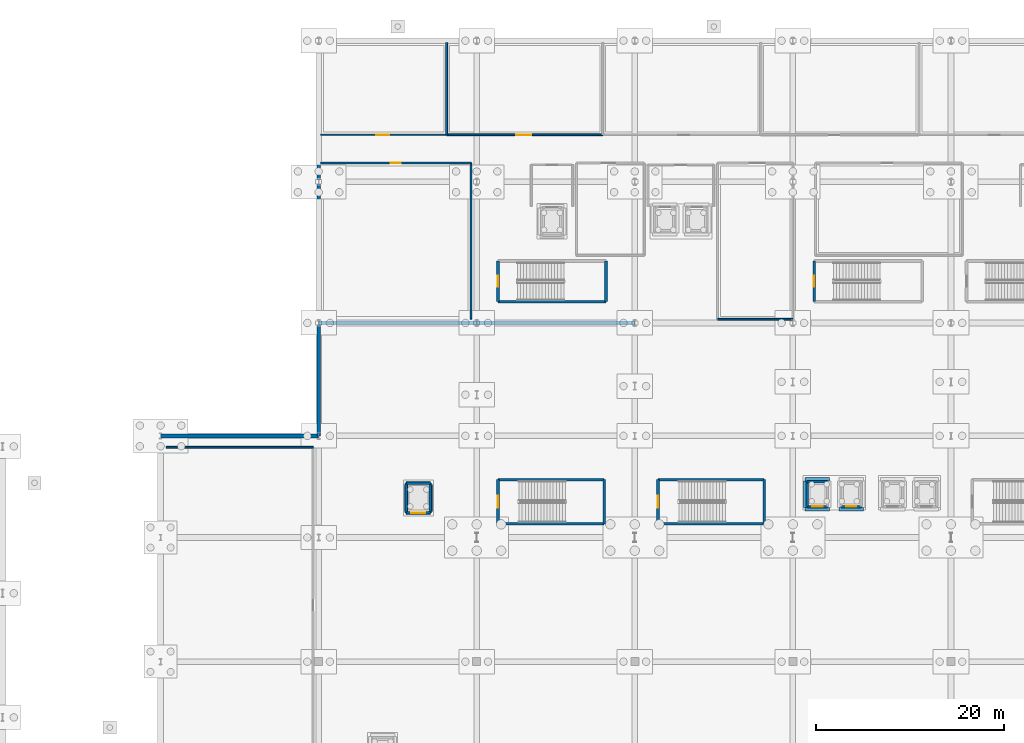
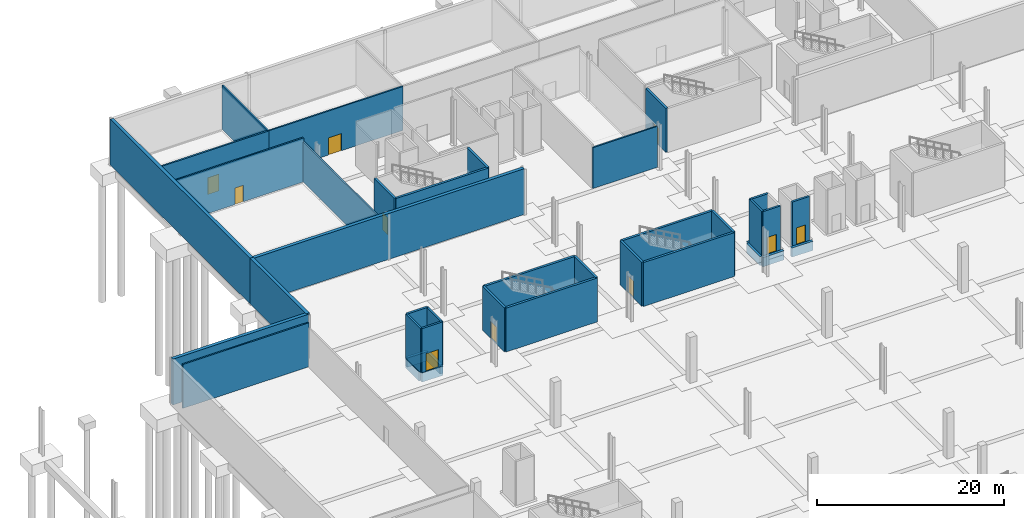
# One storey, part 27 of 46: 39 walls, 10 doors, 10 openings.
"""IFC4 building model written with IfcOpenShell, lengths in metres."""

from ifc_helpers import new_model, si_unit, direction, frame, frame_2d, origin, place, context, subcontext, project, spatial, rectangle, extrude, material, layer, layer_set, type_object, element, fill, save


model = new_model("IFC4")

# Units and contexts
model_context = context("Model", 3, precision=1e-05, world=origin(), true_north=direction((0.0, 1.0)))
body_context = subcontext(model_context, "Body", "Model", "MODEL_VIEW")
ifc_project = project(units=[si_unit("LENGTHUNIT", "METRE"), si_unit("AREAUNIT", "SQUARE_METRE"), si_unit("VOLUMEUNIT", "CUBIC_METRE"), si_unit("PLANEANGLEUNIT", "RADIAN"), si_unit("MASSUNIT", "GRAM", prefix="KILO")], contexts=[model_context])

# Site, building, storey
site_placement = place(None, origin())
site = spatial("IfcSite", under=ifc_project, at=site_placement, CompositionType="ELEMENT")
building_placement = place(site_placement, origin())
building = spatial("IfcBuilding", under=site, at=building_placement, Name="Kimbaza Rail Terminus", CompositionType="ELEMENT")
storey_placement = place(building_placement, frame((0.0, 0.0, -6.0)))
storey = spatial("IfcBuildingStorey", under=building, at=storey_placement, Name="B1", CompositionType="ELEMENT", Elevation=-6.0)

# Wall, opening, door
ifc_material_1 = material(Name="Concrete blockwork C30/37", Category="masonry")
ifc_layer_1 = layer(ifc_material_1, 0.179931640625)
ifc_layer_set_1 = layer_set([ifc_layer_1], Name="Concrete blockwork C30/37")
wall_type_1 = type_object("IfcWallType", Name="ARC-WL-FIRE180", PredefinedType="PARTITIONING", material=ifc_layer_set_1)
wall_1_placement = place(storey_placement, frame((68.800048828125, 123.0, 0.0), z_axis=(0.0, 0.0, 1.0), x_axis=(1.0, 0.0, 0.0)))
wall_1 = element("IfcWall", 1, at=wall_1_placement, inside=storey, type_object=wall_type_1, Name="Traction Power Substation Hall Partition (south)", PredefinedType="PARTITIONING", context=body_context, shape_type="SweptSolid", body=[
    extrude(rectangle(XDim=16.599853515625, YDim=0.179931640625, at=frame_2d((8.2998046875, 0.0))), origin(), (0.0, 0.0, 1.0), 5.75),
])
opening_1_placement = place(wall_1_placement, frame((7.39990234375, 0.0, 0.0)))
opening_1 = element("IfcOpeningElement", 2, at=opening_1_placement, cuts=wall_1, Name="Opening FD-05", PredefinedType="OPENING", context=body_context, shape_type="SweptSolid", body=[
    extrude(rectangle(XDim=1.60009765625, YDim=2.25, at=frame_2d((0.800048828125, 1.125))), frame((0.0, 0.099853515625, 0.0), z_axis=(0.0, -1.0, 0.0), x_axis=(1.0, 0.0, 0.0)), (0.0, 0.0, 1.0), 0.199951171875),
])
ifc_material_2 = material(Name="Substation double-leaf steel fire door", Category="steel")
door_type_1 = type_object("IfcDoorType", Name="ARC-DR-FD160", OperationType="NOTDEFINED", PredefinedType="DOOR", material=ifc_material_2)
door_1_placement = place(opening_1_placement, origin())
door_1 = element("IfcDoor", 3, at=door_1_placement, inside=storey, type_object=door_type_1, Name="IDR-SPC-V5N-B1-02", OperationType="SINGLE_SWING_LEFT", OverallHeight=2.25, OverallWidth=1.60009765625, PredefinedType="DOOR", context=body_context, shape_type="SweptSolid", body=[
    extrude(rectangle(XDim=1.60009765625, YDim=2.25, at=frame_2d((0.800048828125, 1.125))), frame((0.0, 0.02490234375, 0.0), z_axis=(0.0, -1.0, 0.0), x_axis=(1.0, 0.0, 0.0)), (0.0, 0.0, 1.0), 0.050048828125),
])
fill(opening_1, door_1)

# Wall
wall_2_placement = place(storey_placement, frame((71.39990234375, 103.39990234375, 0.0), z_axis=(0.0, 0.0, 1.0), x_axis=(0.0, 1.0, 0.0)))
element("IfcWall", 4, at=wall_2_placement, inside=storey, type_object=wall_type_1, Name="B1 West Signalling Design Office Partition (east)", PredefinedType="PARTITIONING", context=body_context, shape_type="SweptSolid", body=[
    extrude(rectangle(XDim=16.60009765625, YDim=0.179931640625, at=frame_2d((8.300048828125, 0.0))), origin(), (0.0, 0.0, 1.0), 5.2548828125),
])

# Wall, opening, door
wall_3_placement = place(storey_placement, frame((71.39990234375, 120.0, 0.0), z_axis=(0.0, 0.0, 1.0), x_axis=(-1.0, 0.0, 0.0)))
wall_3 = element("IfcWall", 5, at=wall_3_placement, inside=storey, type_object=wall_type_1, Name="B1 West Signalling Design Office Partition (north)", PredefinedType="PARTITIONING", context=body_context, shape_type="SweptSolid", body=[
    extrude(rectangle(XDim=16.0, YDim=0.179931640625, at=frame_2d((8.0, 0.0))), origin(), (0.0, 0.0, 1.0), 5.75),
])
opening_2_placement = place(wall_3_placement, frame((7.47509765625, 0.0, 0.0)))
opening_2 = element("IfcOpeningElement", 6, at=opening_2_placement, cuts=wall_3, Name="Opening FD-04", PredefinedType="OPENING", context=body_context, shape_type="SweptSolid", body=[
    extrude(rectangle(XDim=1.050048828125, YDim=2.14990234375, at=frame_2d((0.52490234375, 1.074951171875))), frame((0.0, 0.099853515625, 0.0), z_axis=(0.0, -1.0, 0.0), x_axis=(1.0, 0.0, 0.0)), (0.0, 0.0, 1.0), 0.199951171875),
])
ifc_material_3 = material(Name="Plant room steel fire door", Category="steel")
door_type_2 = type_object("IfcDoorType", Name="ARC-DR-FD105", OperationType="NOTDEFINED", PredefinedType="DOOR", material=ifc_material_3)
door_2_placement = place(opening_2_placement, origin())
door_2 = element("IfcDoor", 7, at=door_2_placement, inside=storey, type_object=door_type_2, Name="IDR-SPC-V5S-B1-1", OperationType="SINGLE_SWING_LEFT", OverallHeight=2.14990234375, OverallWidth=1.050048828125, PredefinedType="DOOR", context=body_context, shape_type="SweptSolid", body=[
    extrude(rectangle(XDim=1.050048828125, YDim=2.14990234375, at=frame_2d((0.52490234375, 1.074951171875))), frame((0.0, 0.02490234375, 0.0), z_axis=(0.0, -1.0, 0.0), x_axis=(1.0, 0.0, 0.0)), (0.0, 0.0, 1.0), 0.050048828125),
])
fill(opening_2, door_2)

# Walls
wall_4_placement = place(storey_placement, frame((97.60009765625, 103.39990234375, 0.0), z_axis=(0.0, 0.0, 1.0), x_axis=(1.0, 0.0, 0.0)))
element("IfcWall", 8, at=wall_4_placement, inside=storey, type_object=wall_type_1, Name="B1 Network Dispatch Briefing Room Partition (south)", PredefinedType="PARTITIONING", context=body_context, shape_type="SweptSolid", body=[
    extrude(rectangle(XDim=8.0, YDim=0.179931640625, at=frame_2d((4.0, 0.0))), origin(), (0.0, 0.0, 1.0), 5.35498046875),
])
wall_5_placement = place(storey_placement, frame((54.60009765625, 89.800048828125, 0.0), z_axis=(0.0, 0.0, 1.0), x_axis=(-1.0, 0.0, 0.0)))
element("IfcWall", 9, at=wall_5_placement, inside=storey, type_object=wall_type_1, Name="Tunnel Ventilation Fan Plant West Partition (north)", PredefinedType="PARTITIONING", context=body_context, shape_type="SweptSolid", body=[
    extrude(rectangle(XDim=15.60009765625, YDim=0.179931640625, at=frame_2d((7.800048828125, 0.0))), origin(), (0.0, 0.0, 1.0), 5.75),
])

# Wall, opening, door
ifc_material_4 = material(Name="Concrete blockwork C30/37", Category="masonry")
ifc_layer_2 = layer(ifc_material_4, 0.199951171875)
ifc_layer_set_2 = layer_set([ifc_layer_2], Name="Concrete blockwork C30/37")
wall_type_2 = type_object("IfcWallType", Name="ARC-WL-FIRE200", PredefinedType="PARTITIONING", material=ifc_layer_set_2)
wall_6_placement = place(storey_placement, frame((55.39990234375, 123.0, 0.0), z_axis=(0.0, 0.0, 1.0), x_axis=(1.0, 0.0, 0.0)))
wall_6 = element("IfcWall", 10, at=wall_6_placement, inside=storey, type_object=wall_type_2, Name="Signalling Redundant UPS Room Partition (south)", PredefinedType="PARTITIONING", context=body_context, shape_type="SweptSolid", body=[
    extrude(rectangle(XDim=13.400146484375, YDim=0.199951171875, at=frame_2d((6.7001953125, 0.0))), origin(), (0.0, 0.0, 1.0), 5.75),
])
opening_3_placement = place(wall_6_placement, frame((5.89990234375, 0.0, 0.0)))
opening_3 = element("IfcOpeningElement", 11, at=opening_3_placement, cuts=wall_6, Name="Opening FD-01", PredefinedType="OPENING", context=body_context, shape_type="SweptSolid", body=[
    extrude(rectangle(XDim=1.39990234375, YDim=2.199951171875, at=frame_2d((0.699951171875, 1.10009765625))), frame((0.0, 0.10986328125, 0.0), z_axis=(0.0, -1.0, 0.0), x_axis=(1.0, 0.0, 0.0)), (0.0, 0.0, 1.0), 0.219970703125),
])
ifc_material_5 = material(Name="Galvanised painted steel fire escape door", Category="steel")
door_type_3 = type_object("IfcDoorType", Name="ARC-DR-FD140", OperationType="NOTDEFINED", PredefinedType="DOOR", material=ifc_material_5)
door_3_placement = place(opening_3_placement, origin())
door_3 = element("IfcDoor", 12, at=door_3_placement, inside=storey, type_object=door_type_3, Name="IDR-SPC-V5N-B1-01", OperationType="SINGLE_SWING_RIGHT", OverallHeight=2.199951171875, OverallWidth=1.39990234375, PredefinedType="DOOR", context=body_context, shape_type="SweptSolid", body=[
    extrude(rectangle(XDim=1.39990234375, YDim=2.199951171875, at=frame_2d((0.699951171875, 1.10009765625))), frame((0.0, 0.02490234375, 0.0), z_axis=(0.0, -1.0, 0.0), x_axis=(1.0, 0.0, 0.0)), (0.0, 0.0, 1.0), 0.050048828125),
])
fill(opening_3, door_3)

# Wall
wall_7_placement = place(storey_placement, frame((68.800048828125, 123.0, 0.0), z_axis=(0.0, 0.0, 1.0), x_axis=(0.0, 1.0, 0.0)))
element("IfcWall", 13, at=wall_7_placement, inside=storey, type_object=wall_type_2, Name="Signalling Redundant UPS Room Partition (east)", PredefinedType="PARTITIONING", context=body_context, shape_type="SweptSolid", body=[
    extrude(rectangle(XDim=9.800048828125, YDim=0.199951171875, at=frame_2d((4.89990234375, 0.0))), origin(), (0.0, 0.0, 1.0), 5.75),
])

# Wall, opening, door
ifc_material_6 = material(Name="Concrete C40/50", Category="concrete")
ifc_layer_3 = layer(ifc_material_6, 0.25)
ifc_layer_set_3 = layer_set([ifc_layer_3], Name="Concrete C40/50")
wall_type_3 = type_object("IfcWallType", Name="STR-WL-CORE250", PredefinedType="SHEAR", material=ifc_layer_set_3)
wall_8_placement = place(storey_placement, frame((107.1201171875, 83.469970703125, 0.0), z_axis=(0.0, 0.0, 1.0), x_axis=(1.0, 0.0, 0.0)))
wall_8 = element("IfcWall", 14, at=wall_8_placement, inside=storey, type_object=wall_type_3, Name="Lift Shaft Wall LP-01 B1-1", PredefinedType="SHEAR", context=body_context, shape_type="SweptSolid", body=[
    extrude(rectangle(XDim=2.159912109375, YDim=0.25, at=frame_2d((1.080078125, 0.0))), origin(), (0.0, 0.0, 1.0), 5.75),
])
opening_4_placement = place(wall_8_placement, frame((0.530029296875, 0.0, 0.0)))
opening_4 = element("IfcOpeningElement", 15, at=opening_4_placement, cuts=wall_8, Name="Opening LD-01", PredefinedType="OPENING", context=body_context, shape_type="SweptSolid", body=[
    extrude(rectangle(XDim=1.10009765625, YDim=2.199951171875, at=frame_2d((0.550048828125, 1.10009765625))), frame((0.0, 0.135009765625, 0.0), z_axis=(0.0, -1.0, 0.0), x_axis=(1.0, 0.0, 0.0)), (0.0, 0.0, 1.0), 0.27001953125),
])
ifc_material_7 = material(Name="Brushed stainless steel sliding landing door", Category="steel")
door_type_4 = type_object("IfcDoorType", Name="ARC-DR-LD110", OperationType="NOTDEFINED", PredefinedType="DOOR", material=ifc_material_7)
door_4_placement = place(opening_4_placement, origin())
door_4 = element("IfcDoor", 16, at=door_4_placement, inside=storey, type_object=door_type_4, Name="LDR-LP-01-B1", OperationType="SLIDING_TO_LEFT", OverallHeight=2.199951171875, OverallWidth=1.10009765625, PredefinedType="DOOR", context=body_context, shape_type="SweptSolid", body=[
    extrude(rectangle(XDim=1.10009765625, YDim=2.199951171875, at=frame_2d((0.550048828125, 1.10009765625))), frame((0.0, 0.02490234375, 0.0), z_axis=(0.0, -1.0, 0.0), x_axis=(1.0, 0.0, 0.0)), (0.0, 0.0, 1.0), 0.050048828125),
])
fill(opening_4, door_4)

# Walls
wall_9_placement = place(storey_placement, frame((109.280029296875, 86.1298828125, 0.0), z_axis=(0.0, 0.0, 1.0), x_axis=(-1.0, 0.0, 0.0)))
element("IfcWall", 17, at=wall_9_placement, inside=storey, type_object=wall_type_3, Name="Lift Shaft Wall LP-01 B1-3", PredefinedType="SHEAR", context=body_context, shape_type="SweptSolid", body=[
    extrude(rectangle(XDim=2.159912109375, YDim=0.25, at=frame_2d((1.080078125, 0.0))), origin(), (0.0, 0.0, 1.0), 5.75),
])
wall_10_placement = place(storey_placement, frame((107.1201171875, 86.1298828125, 0.0), z_axis=(0.0, 0.0, 1.0), x_axis=(0.0, -1.0, 0.0)))
element("IfcWall", 18, at=wall_10_placement, inside=storey, type_object=wall_type_3, Name="Lift Shaft Wall LP-01 B1-4", PredefinedType="SHEAR", context=body_context, shape_type="SweptSolid", body=[
    extrude(rectangle(XDim=2.659912109375, YDim=0.25, at=frame_2d((1.330078125, 0.0))), origin(), (0.0, 0.0, 1.0), 5.75),
])

# Wall, opening, door
wall_11_placement = place(storey_placement, frame((110.719970703125, 83.469970703125, 0.0), z_axis=(0.0, 0.0, 1.0), x_axis=(1.0, 0.0, 0.0)))
wall_11 = element("IfcWall", 19, at=wall_11_placement, inside=storey, type_object=wall_type_3, Name="Lift Shaft Wall LP-02 B1-1", PredefinedType="SHEAR", context=body_context, shape_type="SweptSolid", body=[
    extrude(rectangle(XDim=2.159912109375, YDim=0.25, at=frame_2d((1.080078125, 0.0))), origin(), (0.0, 0.0, 1.0), 5.75),
])
opening_5_placement = place(wall_11_placement, frame((0.530029296875, 0.0, 0.0)))
opening_5 = element("IfcOpeningElement", 20, at=opening_5_placement, cuts=wall_11, Name="Opening LD-01", PredefinedType="OPENING", context=body_context, shape_type="SweptSolid", body=[
    extrude(rectangle(XDim=1.10009765625, YDim=2.199951171875, at=frame_2d((0.550048828125, 1.10009765625))), frame((0.0, 0.135009765625, 0.0), z_axis=(0.0, -1.0, 0.0), x_axis=(1.0, 0.0, 0.0)), (0.0, 0.0, 1.0), 0.27001953125),
])
door_5_placement = place(opening_5_placement, origin())
door_5 = element("IfcDoor", 21, at=door_5_placement, inside=storey, type_object=door_type_4, Name="LDR-LP-02-B1", OperationType="SLIDING_TO_LEFT", OverallHeight=2.199951171875, OverallWidth=1.10009765625, PredefinedType="DOOR", context=body_context, shape_type="SweptSolid", body=[
    extrude(rectangle(XDim=1.10009765625, YDim=2.199951171875, at=frame_2d((0.550048828125, 1.10009765625))), frame((0.0, 0.02490234375, 0.0), z_axis=(0.0, -1.0, 0.0), x_axis=(1.0, 0.0, 0.0)), (0.0, 0.0, 1.0), 0.050048828125),
])
fill(opening_5, door_5)

wall_12_placement = place(storey_placement, frame((64.52001953125, 82.820068359375, 0.0), z_axis=(0.0, 0.0, 1.0), x_axis=(1.0, 0.0, 0.0)))
wall_12 = element("IfcWall", 22, at=wall_12_placement, inside=storey, type_object=wall_type_3, Name="Lift Shaft Wall LG-01 B1-1", PredefinedType="SHEAR", context=body_context, shape_type="SweptSolid", body=[
    extrude(rectangle(XDim=2.56005859375, YDim=0.25, at=frame_2d((1.280029296875, 0.0))), origin(), (0.0, 0.0, 1.0), 5.75),
])
opening_6_placement = place(wall_12_placement, frame((0.530029296875, 0.0, 0.0)))
opening_6 = element("IfcOpeningElement", 23, at=opening_6_placement, cuts=wall_12, Name="Opening LD-03", PredefinedType="OPENING", context=body_context, shape_type="SweptSolid", body=[
    extrude(rectangle(XDim=1.5, YDim=2.300048828125, at=frame_2d((0.75, 1.14990234375))), frame((0.0, 0.135009765625, 0.0), z_axis=(0.0, -1.0, 0.0), x_axis=(1.0, 0.0, 0.0)), (0.0, 0.0, 1.0), 0.27001953125),
])
ifc_material_8 = material(Name="Heavy goods stainless steel landing door", Category="steel")
door_type_5 = type_object("IfcDoorType", Name="ARC-DR-LD150", OperationType="NOTDEFINED", PredefinedType="DOOR", material=ifc_material_8)
door_6_placement = place(opening_6_placement, origin())
door_6 = element("IfcDoor", 24, at=door_6_placement, inside=storey, type_object=door_type_5, Name="LDR-LG-01-B1", OperationType="SLIDING_TO_LEFT", OverallHeight=2.300048828125, OverallWidth=1.5, PredefinedType="DOOR", context=body_context, shape_type="SweptSolid", body=[
    extrude(rectangle(XDim=1.5, YDim=2.300048828125, at=frame_2d((0.75, 1.14990234375))), frame((0.0, 0.02490234375, 0.0), z_axis=(0.0, -1.0, 0.0), x_axis=(1.0, 0.0, 0.0)), (0.0, 0.0, 1.0), 0.050048828125),
])
fill(opening_6, door_6)

# Walls
wall_13_placement = place(storey_placement, frame((67.080078125, 82.820068359375, 0.0), z_axis=(0.0, 0.0, 1.0), x_axis=(0.0, 1.0, 0.0)))
element("IfcWall", 25, at=wall_13_placement, inside=storey, type_object=wall_type_3, Name="Lift Shaft Wall LG-01 B1-2", PredefinedType="SHEAR", context=body_context, shape_type="SweptSolid", body=[
    extrude(rectangle(XDim=3.159912109375, YDim=0.25, at=frame_2d((1.580078125, 0.0))), origin(), (0.0, 0.0, 1.0), 5.75),
])
wall_14_placement = place(storey_placement, frame((67.080078125, 85.97998046875, 0.0), z_axis=(0.0, 0.0, 1.0), x_axis=(-1.0, 0.0, 0.0)))
element("IfcWall", 26, at=wall_14_placement, inside=storey, type_object=wall_type_3, Name="Lift Shaft Wall LG-01 B1-3", PredefinedType="SHEAR", context=body_context, shape_type="SweptSolid", body=[
    extrude(rectangle(XDim=2.56005859375, YDim=0.25, at=frame_2d((1.280029296875, 0.0))), origin(), (0.0, 0.0, 1.0), 5.75),
])
wall_15_placement = place(storey_placement, frame((64.52001953125, 85.97998046875, 0.0), z_axis=(0.0, 0.0, 1.0), x_axis=(0.0, -1.0, 0.0)))
element("IfcWall", 27, at=wall_15_placement, inside=storey, type_object=wall_type_3, Name="Lift Shaft Wall LG-01 B1-4", PredefinedType="SHEAR", context=body_context, shape_type="SweptSolid", body=[
    extrude(rectangle(XDim=3.159912109375, YDim=0.25, at=frame_2d((1.580078125, 0.0))), origin(), (0.0, 0.0, 1.0), 5.75),
])
ifc_material_9 = material(Name="Concrete C40/50", Category="concrete")
ifc_layer_4 = layer(ifc_material_9, 0.280029296875)
ifc_layer_set_4 = layer_set([ifc_layer_4], Name="Concrete C40/50")
wall_type_4 = type_object("IfcWallType", Name="STR-WL-CORE280", PredefinedType="SHEAR", material=ifc_layer_set_4)
wall_16_placement = place(storey_placement, frame((74.260009765625, 105.260009765625, 0.0), z_axis=(0.0, 0.0, 1.0), x_axis=(1.0, 0.0, 0.0)))
element("IfcWall", 28, at=wall_16_placement, inside=storey, type_object=wall_type_4, Name="Operations West Exit Stair Shaft Wall B1-1", PredefinedType="SHEAR", context=body_context, shape_type="SweptSolid", body=[
    extrude(rectangle(XDim=11.47998046875, YDim=0.280029296875, at=frame_2d((5.739990234375, 0.0))), origin(), (0.0, 0.0, 1.0), 5.760009765625),
])
wall_17_placement = place(storey_placement, frame((85.739990234375, 105.260009765625, 0.0), z_axis=(0.0, 0.0, 1.0), x_axis=(0.0, 1.0, 0.0)))
element("IfcWall", 29, at=wall_17_placement, inside=storey, type_object=wall_type_4, Name="Operations West Exit Stair Shaft Wall B1-2", PredefinedType="SHEAR", context=body_context, shape_type="SweptSolid", body=[
    extrude(rectangle(XDim=4.320068359375, YDim=0.280029296875, at=frame_2d((2.16015625, 0.0))), origin(), (0.0, 0.0, 1.0), 5.760009765625),
])

# Wall, opening, door
wall_18_placement = place(storey_placement, frame((74.260009765625, 109.580078125, 0.0), z_axis=(0.0, 0.0, 1.0), x_axis=(0.0, -1.0, 0.0)))
wall_18 = element("IfcWall", 30, at=wall_18_placement, inside=storey, type_object=wall_type_4, Name="Operations West Exit Stair Shaft Wall B1-4", PredefinedType="SHEAR", context=body_context, shape_type="SweptSolid", body=[
    extrude(rectangle(XDim=4.320068359375, YDim=0.280029296875, at=frame_2d((2.16015625, 0.0))), origin(), (0.0, 0.0, 1.0), 5.760009765625),
])
opening_7_placement = place(wall_18_placement, frame((1.5849609375, 0.0, 0.0)))
opening_7 = element("IfcOpeningElement", 31, at=opening_7_placement, cuts=wall_18, Name="Opening FD-03", PredefinedType="OPENING", context=body_context, shape_type="SweptSolid", body=[
    extrude(rectangle(XDim=1.14990234375, YDim=2.199951171875, at=frame_2d((0.574951171875, 1.10009765625))), frame((0.0, 0.14990234375, 0.0), z_axis=(0.0, -1.0, 0.0), x_axis=(1.0, 0.0, 0.0)), (0.0, 0.0, 1.0), 0.300048828125),
])
ifc_material_10 = material(Name="Firefighting lobby self-closing steel door", Category="steel")
door_type_6 = type_object("IfcDoorType", Name="ARC-DR-FD115", OperationType="NOTDEFINED", PredefinedType="DOOR", material=ifc_material_10)
door_7_placement = place(opening_7_placement, origin())
door_7 = element("IfcDoor", 32, at=door_7_placement, inside=storey, type_object=door_type_6, Name="SDR-ST-W1-B1", OperationType="SINGLE_SWING_LEFT", OverallHeight=2.199951171875, OverallWidth=1.14990234375, PredefinedType="DOOR", context=body_context, shape_type="SweptSolid", body=[
    extrude(rectangle(XDim=1.14990234375, YDim=2.199951171875, at=frame_2d((0.574951171875, 1.10009765625))), frame((0.0, 0.02490234375, 0.0), z_axis=(0.0, -1.0, 0.0), x_axis=(1.0, 0.0, 0.0)), (0.0, 0.0, 1.0), 0.050048828125),
])
fill(opening_7, door_7)

wall_19_placement = place(storey_placement, frame((107.860107421875, 109.580078125, 0.0), z_axis=(0.0, 0.0, 1.0), x_axis=(0.0, -1.0, 0.0)))
wall_19 = element("IfcWall", 33, at=wall_19_placement, inside=storey, type_object=wall_type_4, Name="Operations Central Exit Stair Shaft Wall B1-4", PredefinedType="SHEAR", context=body_context, shape_type="SweptSolid", body=[
    extrude(rectangle(XDim=4.320068359375, YDim=0.280029296875, at=frame_2d((2.16015625, 0.0))), origin(), (0.0, 0.0, 1.0), 5.760009765625),
])
opening_8_placement = place(wall_19_placement, frame((1.5849609375, 0.0, 0.0)))
opening_8 = element("IfcOpeningElement", 34, at=opening_8_placement, cuts=wall_19, Name="Opening FD-03", PredefinedType="OPENING", context=body_context, shape_type="SweptSolid", body=[
    extrude(rectangle(XDim=1.14990234375, YDim=2.199951171875, at=frame_2d((0.574951171875, 1.10009765625))), frame((0.0, 0.14990234375, 0.0), z_axis=(0.0, -1.0, 0.0), x_axis=(1.0, 0.0, 0.0)), (0.0, 0.0, 1.0), 0.300048828125),
])
door_8_placement = place(opening_8_placement, origin())
door_8 = element("IfcDoor", 35, at=door_8_placement, inside=storey, type_object=door_type_6, Name="SDR-ST-M1-B1", OperationType="SINGLE_SWING_LEFT", OverallHeight=2.199951171875, OverallWidth=1.14990234375, PredefinedType="DOOR", context=body_context, shape_type="SweptSolid", body=[
    extrude(rectangle(XDim=1.14990234375, YDim=2.199951171875, at=frame_2d((0.574951171875, 1.10009765625))), frame((0.0, 0.02490234375, 0.0), z_axis=(0.0, -1.0, 0.0), x_axis=(1.0, 0.0, 0.0)), (0.0, 0.0, 1.0), 0.050048828125),
])
fill(opening_8, door_8)

# Walls
wall_20_placement = place(storey_placement, frame((74.260009765625, 81.659912109375, 0.0), z_axis=(0.0, 0.0, 1.0), x_axis=(1.0, 0.0, 0.0)))
element("IfcWall", 36, at=wall_20_placement, inside=storey, type_object=wall_type_4, Name="Platform West Concourse Stair Shaft Wall B1-1", PredefinedType="SHEAR", context=body_context, shape_type="SweptSolid", body=[
    extrude(rectangle(XDim=11.280029296875, YDim=0.280029296875, at=frame_2d((5.64013671875, 0.0))), origin(), (0.0, 0.0, 1.0), 5.75),
])
wall_21_placement = place(storey_placement, frame((85.5400390625, 81.659912109375, 0.0), z_axis=(0.0, 0.0, 1.0), x_axis=(0.0, 1.0, 0.0)))
element("IfcWall", 37, at=wall_21_placement, inside=storey, type_object=wall_type_4, Name="Platform West Concourse Stair Shaft Wall B1-2", PredefinedType="SHEAR", context=body_context, shape_type="SweptSolid", body=[
    extrude(rectangle(XDim=4.68017578125, YDim=0.280029296875, at=frame_2d((2.340087890625, 0.0))), origin(), (0.0, 0.0, 1.0), 5.75),
])
wall_22_placement = place(storey_placement, frame((85.5400390625, 86.340087890625, 0.0), z_axis=(0.0, 0.0, 1.0), x_axis=(-1.0, 0.0, 0.0)))
element("IfcWall", 38, at=wall_22_placement, inside=storey, type_object=wall_type_4, Name="Platform West Concourse Stair Shaft Wall B1-3", PredefinedType="SHEAR", context=body_context, shape_type="SweptSolid", body=[
    extrude(rectangle(XDim=11.280029296875, YDim=0.280029296875, at=frame_2d((5.64013671875, 0.0))), origin(), (0.0, 0.0, 1.0), 5.75),
])

# Wall, opening, door
wall_23_placement = place(storey_placement, frame((74.260009765625, 86.340087890625, 0.0), z_axis=(0.0, 0.0, 1.0), x_axis=(0.0, -1.0, 0.0)))
wall_23 = element("IfcWall", 39, at=wall_23_placement, inside=storey, type_object=wall_type_4, Name="Platform West Concourse Stair Shaft Wall B1-4", PredefinedType="SHEAR", context=body_context, shape_type="SweptSolid", body=[
    extrude(rectangle(XDim=4.68017578125, YDim=0.280029296875, at=frame_2d((2.340087890625, 0.0))), origin(), (0.0, 0.0, 1.0), 5.75),
])
opening_9_placement = place(wall_23_placement, frame((1.715087890625, 0.0, 0.0)))
opening_9 = element("IfcOpeningElement", 40, at=opening_9_placement, cuts=wall_23, Name="Opening FD-02", PredefinedType="OPENING", context=body_context, shape_type="SweptSolid", body=[
    extrude(rectangle(XDim=1.25, YDim=2.199951171875, at=frame_2d((0.625, 1.10009765625))), frame((0.0, 0.14990234375, 0.0), z_axis=(0.0, -1.0, 0.0), x_axis=(1.0, 0.0, 0.0)), (0.0, 0.0, 1.0), 0.300048828125),
])
ifc_material_11 = material(Name="Galvanised painted steel fire stair door", Category="steel")
door_type_7 = type_object("IfcDoorType", Name="ARC-DR-FD125", OperationType="NOTDEFINED", PredefinedType="DOOR", material=ifc_material_11)
door_9_placement = place(opening_9_placement, origin())
door_9 = element("IfcDoor", 41, at=door_9_placement, inside=storey, type_object=door_type_7, Name="SDR-ST-C1-B1", OperationType="SINGLE_SWING_LEFT", OverallHeight=2.199951171875, OverallWidth=1.25, PredefinedType="DOOR", context=body_context, shape_type="SweptSolid", body=[
    extrude(rectangle(XDim=1.25, YDim=2.199951171875, at=frame_2d((0.625, 1.10009765625))), frame((0.0, 0.02490234375, 0.0), z_axis=(0.0, -1.0, 0.0), x_axis=(1.0, 0.0, 0.0)), (0.0, 0.0, 1.0), 0.050048828125),
])
fill(opening_9, door_9)

# Walls
wall_24_placement = place(storey_placement, frame((91.260009765625, 81.659912109375, 0.0), z_axis=(0.0, 0.0, 1.0), x_axis=(1.0, 0.0, 0.0)))
element("IfcWall", 42, at=wall_24_placement, inside=storey, type_object=wall_type_4, Name="Footbridge West Platform Stair Shaft Wall B1-1", PredefinedType="SHEAR", context=body_context, shape_type="SweptSolid", body=[
    extrude(rectangle(XDim=11.280029296875, YDim=0.280029296875, at=frame_2d((5.64013671875, 0.0))), origin(), (0.0, 0.0, 1.0), 5.75),
])
wall_25_placement = place(storey_placement, frame((102.5400390625, 81.659912109375, 0.0), z_axis=(0.0, 0.0, 1.0), x_axis=(0.0, 1.0, 0.0)))
element("IfcWall", 43, at=wall_25_placement, inside=storey, type_object=wall_type_4, Name="Footbridge West Platform Stair Shaft Wall B1-2", PredefinedType="SHEAR", context=body_context, shape_type="SweptSolid", body=[
    extrude(rectangle(XDim=4.68017578125, YDim=0.280029296875, at=frame_2d((2.340087890625, 0.0))), origin(), (0.0, 0.0, 1.0), 5.75),
])
wall_26_placement = place(storey_placement, frame((102.5400390625, 86.340087890625, 0.0), z_axis=(0.0, 0.0, 1.0), x_axis=(-1.0, 0.0, 0.0)))
element("IfcWall", 44, at=wall_26_placement, inside=storey, type_object=wall_type_4, Name="Footbridge West Platform Stair Shaft Wall B1-3", PredefinedType="SHEAR", context=body_context, shape_type="SweptSolid", body=[
    extrude(rectangle(XDim=11.280029296875, YDim=0.280029296875, at=frame_2d((5.64013671875, 0.0))), origin(), (0.0, 0.0, 1.0), 5.75),
])

# Wall, opening, door
wall_27_placement = place(storey_placement, frame((91.260009765625, 86.340087890625, 0.0), z_axis=(0.0, 0.0, 1.0), x_axis=(0.0, -1.0, 0.0)))
wall_27 = element("IfcWall", 45, at=wall_27_placement, inside=storey, type_object=wall_type_4, Name="Footbridge West Platform Stair Shaft Wall B1-4", PredefinedType="SHEAR", context=body_context, shape_type="SweptSolid", body=[
    extrude(rectangle(XDim=4.68017578125, YDim=0.280029296875, at=frame_2d((2.340087890625, 0.0))), origin(), (0.0, 0.0, 1.0), 5.75),
])
opening_10_placement = place(wall_27_placement, frame((1.715087890625, 0.0, 0.0)))
opening_10 = element("IfcOpeningElement", 46, at=opening_10_placement, cuts=wall_27, Name="Opening FD-02", PredefinedType="OPENING", context=body_context, shape_type="SweptSolid", body=[
    extrude(rectangle(XDim=1.25, YDim=2.199951171875, at=frame_2d((0.625, 1.10009765625))), frame((0.0, 0.14990234375, 0.0), z_axis=(0.0, -1.0, 0.0), x_axis=(1.0, 0.0, 0.0)), (0.0, 0.0, 1.0), 0.300048828125),
])
door_10_placement = place(opening_10_placement, origin())
door_10 = element("IfcDoor", 47, at=door_10_placement, inside=storey, type_object=door_type_7, Name="SDR-ST-C3-B1", OperationType="SINGLE_SWING_LEFT", OverallHeight=2.199951171875, OverallWidth=1.25, PredefinedType="DOOR", context=body_context, shape_type="SweptSolid", body=[
    extrude(rectangle(XDim=1.25, YDim=2.199951171875, at=frame_2d((0.625, 1.10009765625))), frame((0.0, 0.02490234375, 0.0), z_axis=(0.0, -1.0, 0.0), x_axis=(1.0, 0.0, 0.0)), (0.0, 0.0, 1.0), 0.050048828125),
])
fill(opening_10, door_10)

# Walls
ifc_material_12 = material(Name="Concrete C40/50", Category="concrete")
ifc_layer_5 = layer(ifc_material_12, 0.35009765625)
ifc_layer_set_5 = layer_set([ifc_layer_5], Name="Concrete C40/50")
wall_type_5 = type_object("IfcWallType", Name="STR-WL-RET350", PredefinedType="SOLIDWALL", material=ifc_layer_set_5)
for number, where, z_axis, x_axis, name in (
    (48, (106.89990234375, 83.199951171875, -1.199951171875), (0.0, 0.0, 1.0), (1.0, 0.0, 0.0), "Lift Pit Wall LP-01-1"),
    (49, (109.5, 86.39990234375, -1.199951171875), (0.0, 0.0, 1.0), (-1.0, 0.0, 0.0), "Lift Pit Wall LP-01-3"),
):
    element("IfcWall", number, at=place(storey_placement, frame(where, z_axis=z_axis, x_axis=x_axis)), inside=storey, type_object=wall_type_5, Name=name, PredefinedType="SOLIDWALL", context=body_context, shape_type="SweptSolid", body=[
        extrude(rectangle(XDim=2.60009765625, YDim=0.35009765625, at=frame_2d((1.300048828125, 0.0))), origin(), (0.0, 0.0, 1.0), 1.199951171875),
    ])
wall_28_placement = place(storey_placement, frame((106.89990234375, 86.22509765625, -1.199951171875), z_axis=(0.0, 0.0, 1.0), x_axis=(0.0, -1.0, 0.0)))
element("IfcWall", 50, at=wall_28_placement, inside=storey, type_object=wall_type_5, Name="Lift Pit Wall LP-01-4", PredefinedType="SOLIDWALL", context=body_context, shape_type="SweptSolid", body=[
    extrude(rectangle(XDim=2.85009765625, YDim=0.35009765625, at=frame_2d((1.425048828125, 0.0))), origin(), (0.0, 0.0, 1.0), 1.199951171875),
])
for number, where, z_axis, x_axis, name in (
    (51, (110.5, 83.199951171875, -1.199951171875), (0.0, 0.0, 1.0), (1.0, 0.0, 0.0), "Lift Pit Wall LP-02-1"),
    (52, (64.5, 82.800048828125, -1.199951171875), (0.0, 0.0, 1.0), (1.0, 0.0, 0.0), "Lift Pit Wall LG-01-1"),
):
    element("IfcWall", number, at=place(storey_placement, frame(where, z_axis=z_axis, x_axis=x_axis)), inside=storey, type_object=wall_type_5, Name=name, PredefinedType="SOLIDWALL", context=body_context, shape_type="SweptSolid", body=[
        extrude(rectangle(XDim=2.60009765625, YDim=0.35009765625, at=frame_2d((1.300048828125, 0.0))), origin(), (0.0, 0.0, 1.0), 1.199951171875),
    ])
wall_29_placement = place(storey_placement, frame((67.10009765625, 82.97509765625, -1.199951171875), z_axis=(0.0, 0.0, 1.0), x_axis=(0.0, 1.0, 0.0)))
element("IfcWall", 53, at=wall_29_placement, inside=storey, type_object=wall_type_5, Name="Lift Pit Wall LG-01-2", PredefinedType="SOLIDWALL", context=body_context, shape_type="SweptSolid", body=[
    extrude(rectangle(XDim=2.849853515625, YDim=0.35009765625, at=frame_2d((1.4248046875, 0.0))), origin(), (0.0, 0.0, 1.0), 1.199951171875),
])
wall_30_placement = place(storey_placement, frame((67.10009765625, 86.0, -1.199951171875), z_axis=(0.0, 0.0, 1.0), x_axis=(-1.0, 0.0, 0.0)))
element("IfcWall", 54, at=wall_30_placement, inside=storey, type_object=wall_type_5, Name="Lift Pit Wall LG-01-3", PredefinedType="SOLIDWALL", context=body_context, shape_type="SweptSolid", body=[
    extrude(rectangle(XDim=2.60009765625, YDim=0.35009765625, at=frame_2d((1.300048828125, 0.0))), origin(), (0.0, 0.0, 1.0), 1.199951171875),
])
wall_31_placement = place(storey_placement, frame((64.5, 85.824951171875, -1.199951171875), z_axis=(0.0, 0.0, 1.0), x_axis=(0.0, -1.0, 0.0)))
element("IfcWall", 55, at=wall_31_placement, inside=storey, type_object=wall_type_5, Name="Lift Pit Wall LG-01-4", PredefinedType="SOLIDWALL", context=body_context, shape_type="SweptSolid", body=[
    extrude(rectangle(XDim=2.849853515625, YDim=0.35009765625, at=frame_2d((1.4248046875, 0.0))), origin(), (0.0, 0.0, 1.0), 1.199951171875),
])
ifc_material_13 = material(Name="Concrete C40/50", Category="concrete")
ifc_layer_6 = layer(ifc_material_13, 0.39990234375)
ifc_layer_set_6 = layer_set([ifc_layer_6], Name="Concrete C40/50")
wall_type_6 = type_object("IfcWallType", Name="STR-WL-RET400", PredefinedType="SOLIDWALL", material=ifc_layer_set_6)
wall_32_placement = place(storey_placement, frame((55.199951171875, 103.0, 0.0), z_axis=(0.0, 0.0, 1.0), x_axis=(1.0, 0.0, 0.0)))
element("IfcWall", 56, at=wall_32_placement, inside=storey, type_object=wall_type_6, Name="Operations B1 Retaining Wall 1", PredefinedType="SOLIDWALL", context=body_context, shape_type="SweptSolid", body=[
    extrude(rectangle(XDim=33.60009765625, YDim=0.39990234375, at=frame_2d((16.800048828125, 0.0))), origin(), (0.0, 0.0, 1.0), 6.0),
])
wall_33_placement = place(storey_placement, frame((55.199951171875, 133.0, 0.0), z_axis=(0.0, 0.0, 1.0), x_axis=(0.0, -1.0, 0.0)))
element("IfcWall", 57, at=wall_33_placement, inside=storey, type_object=wall_type_6, Name="Operations B1 Retaining Wall 5", PredefinedType="SOLIDWALL", context=body_context, shape_type="SweptSolid", body=[
    extrude(rectangle(XDim=30.0, YDim=0.39990234375, at=frame_2d((15.0, 0.0))), origin(), (0.0, 0.0, 1.0), 6.0),
])
wall_34_placement = place(storey_placement, frame((38.39990234375, 91.0, 0.0), z_axis=(0.0, 0.0, 1.0), x_axis=(1.0, 0.0, 0.0)))
element("IfcWall", 58, at=wall_34_placement, inside=storey, type_object=wall_type_6, Name="Metro Box Retaining Wall 7", PredefinedType="SOLIDWALL", context=body_context, shape_type="SweptSolid", body=[
    extrude(rectangle(XDim=16.800048828125, YDim=0.39990234375, at=frame_2d((8.39990234375, 0.0))), origin(), (0.0, 0.0, 1.0), 6.0),
])
wall_35_placement = place(storey_placement, frame((55.199951171875, 91.0, 0.0), z_axis=(0.0, 0.0, 1.0), x_axis=(0.0, 1.0, 0.0)))
element("IfcWall", 59, at=wall_35_placement, inside=storey, type_object=wall_type_6, Name="Metro Box Retaining Wall 8", PredefinedType="SOLIDWALL", context=body_context, shape_type="SweptSolid", body=[
    extrude(rectangle(XDim=12.0, YDim=0.39990234375, at=frame_2d((6.0, 0.0))), origin(), (0.0, 0.0, 1.0), 6.0),
])

save(model, "model.ifc")
